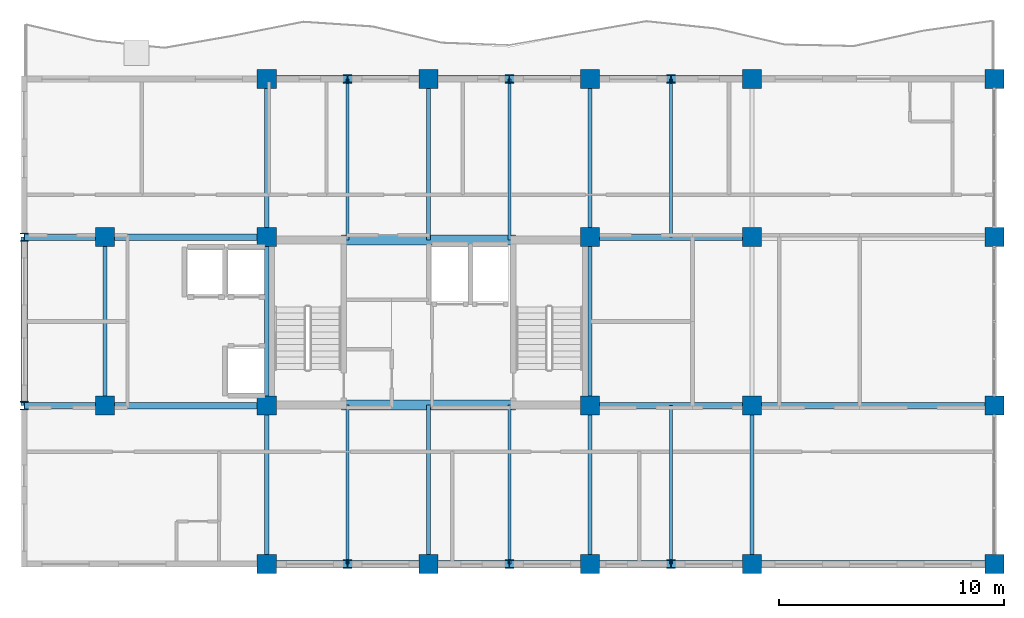
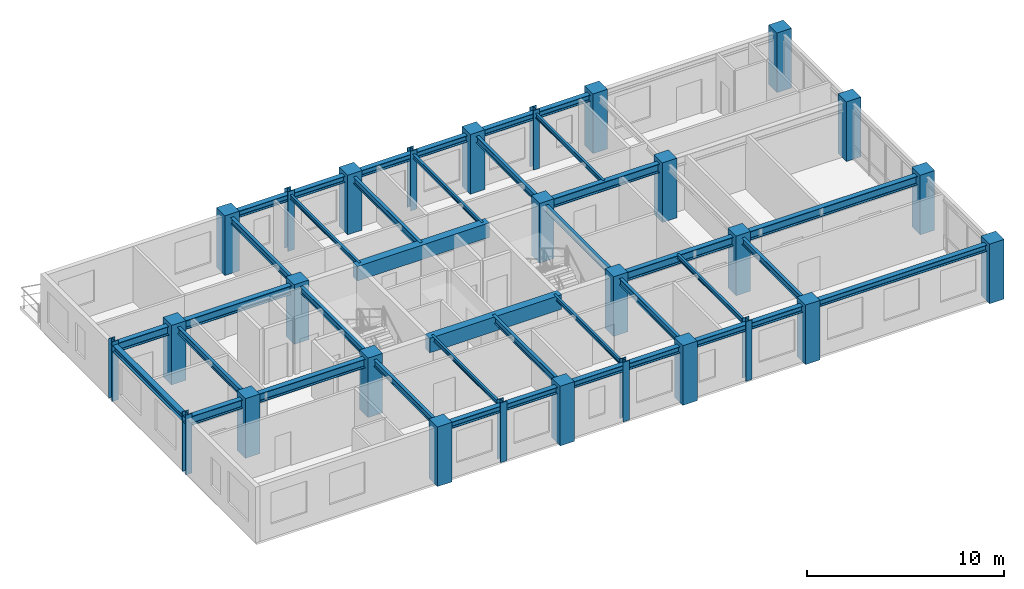
# One storey, part 1 of 11: 39 beams, 28 columns.
"""IFC4 building model written with IfcOpenShell, lengths in metres."""

import ifcopenshell
import ifcopenshell.guid

model = None  # the IFC model being written
_history = None  # IfcOwnerHistory: only IFC2X3 demands one
_inside = {}  # id of a spatial element -> (the spatial element, [elements in it])
_under = {}  # id of a project, library or spatial element -> (it, [spatial elements below it])
_declared = {}  # id of a project -> (the project, [libraries it declares])
_typed = {}  # id of a type object -> (the type object, [elements of that type])
_made_of = {}  # id of a material, layer set ... -> (it, [elements and type objects made of it])


def new_model(schema):
    """Start an empty IFC model of exactly this schema.

    Asked for "IFC4X3", IfcOpenShell would pick the latest addendum, in which some entities
    have other attributes; the version numbers below select the first issue.
    IFC2X3 requires an IfcOwnerHistory on every rooted entity: one is made here for all.
    """
    global model, _history
    if schema == "IFC4X3":
        model = ifcopenshell.file(schema_version=(4, 3, 0, 0))
    else:
        model = ifcopenshell.file(schema=schema)
    _inside.clear()
    _under.clear()
    _declared.clear()
    _typed.clear()
    _made_of.clear()
    _history = None
    if model.schema == "IFC2X3":
        org = make("IfcOrganization", Name="unknown")
        user = make(
            "IfcPersonAndOrganization",
            ThePerson=make("IfcPerson", FamilyName="unknown"),
            TheOrganization=org,
        )
        app = make(
            "IfcApplication",
            ApplicationDeveloper=org,
            Version="unknown",
            ApplicationFullName="unknown",
            ApplicationIdentifier="unknown",
        )
        _history = make(
            "IfcOwnerHistory",
            OwningUser=user,
            OwningApplication=app,
            ChangeAction="ADDED",
            CreationDate=0,
        )
    return model


def make(cls, **values):
    """One entity of the class cls with the attributes given. An attribute that is None is left unset."""
    return model.create_entity(
        cls, **{name: value for name, value in values.items() if value is not None}
    )


def rooted(cls, **values):
    """An entity with a GlobalId (a new one), such as an element, a storey or a relation."""
    return make(cls, GlobalId=ifcopenshell.guid.new(), OwnerHistory=_history, **values)


def si_unit(unit_type, name, prefix=None):
    """IfcSIUnit, for example si_unit("LENGTHUNIT", "METRE", prefix="MILLI")."""
    return make("IfcSIUnit", UnitType=unit_type, Prefix=prefix, Name=name)


def assignment(units):
    """IfcUnitAssignment: the units of a project."""
    return None if units is None else make("IfcUnitAssignment", Units=units)


def point(xyz):
    """IfcCartesianPoint."""
    return None if xyz is None else make("IfcCartesianPoint", Coordinates=xyz)


def direction(xyz):
    """IfcDirection."""
    return None if xyz is None else make("IfcDirection", DirectionRatios=xyz)


def frame(location, z_axis=None, x_axis=None):
    """IfcAxis2Placement3D, a coordinate frame: its origin and axes. An axis left out is left unset."""
    return make(
        "IfcAxis2Placement3D",
        Location=point(location),
        Axis=direction(z_axis),
        RefDirection=direction(x_axis),
    )


def frame_2d(location, x_axis=None):
    """IfcAxis2Placement2D, a coordinate frame in the plane: its origin and x axis."""
    return make(
        "IfcAxis2Placement2D", Location=point(location), RefDirection=direction(x_axis)
    )


def origin():
    """The frame at (0, 0, 0) with its axes left unset."""
    return frame((0.0, 0.0, 0.0))


def origin_2d():
    """The frame at (0, 0) in the plane with its x axis left unset."""
    return frame_2d((0.0, 0.0))


def place(relative_to, where):
    """IfcLocalPlacement: puts the frame where relative to a parent placement (None: the world)."""
    return make(
        "IfcLocalPlacement", PlacementRelTo=relative_to, RelativePlacement=where
    )


def context(
    kind, dimensions, precision=None, world=None, true_north=None, identifier=None
):
    """IfcGeometricRepresentationContext, for example the 3D "Model" context."""
    return make(
        "IfcGeometricRepresentationContext",
        ContextIdentifier=identifier,
        ContextType=kind,
        CoordinateSpaceDimension=dimensions,
        Precision=precision,
        WorldCoordinateSystem=world,
        TrueNorth=true_north,
    )


def subcontext(parent, identifier, kind, view, scale=None):
    """IfcGeometricRepresentationSubContext, for example "Body" below "Model"."""
    return make(
        "IfcGeometricRepresentationSubContext",
        ContextIdentifier=identifier,
        ContextType=kind,
        ParentContext=parent,
        TargetScale=scale,
        TargetView=view,
    )


def project(units=None, contexts=None):
    """IfcProject with its units and contexts."""
    return rooted(
        "IfcProject",
        Name="project",
        RepresentationContexts=contexts,
        UnitsInContext=assignment(units),
    )


def spatial(cls, under=None, at=None, **own):
    """A site, building, storey or space (cls), placed at a placement, below another one or the project."""
    s = rooted(cls, ObjectPlacement=at, **own)
    if under is not None:
        _under.setdefault(under.id(), (under, []))[1].append(s)
    return s


def profile(cls, at=None, kind="AREA", **sizes):
    """A parametric profile (cls). Its sizes go by their IFC names, for example OverallWidth=200.0."""
    return make(cls, ProfileType=kind, Position=at, **sizes)


def rectangle(**sizes):
    """IfcRectangleProfileDef."""
    return profile("IfcRectangleProfileDef", **sizes)


def i_section(**sizes):
    """IfcIShapeProfileDef."""
    return profile("IfcIShapeProfileDef", **sizes)


def extrude(swept, where, along, depth):
    """IfcExtrudedAreaSolid: the profile swept, set in the frame where, extruded along a direction by depth."""
    return make(
        "IfcExtrudedAreaSolid",
        SweptArea=swept,
        Position=where,
        ExtrudedDirection=direction(along),
        Depth=depth,
    )


def shape(context_of_items, identifier, shape_type, items):
    """IfcShapeRepresentation: the items that make up one representation, for example the "Body"."""
    return make(
        "IfcShapeRepresentation",
        ContextOfItems=context_of_items,
        RepresentationIdentifier=identifier,
        RepresentationType=shape_type,
        Items=items,
    )


def source(mapping_origin, context_of_items, identifier, shape_type, items):
    """IfcRepresentationMap: a shape defined once, which mapped items show again and again."""
    return make(
        "IfcRepresentationMap",
        MappingOrigin=mapping_origin,
        MappedRepresentation=shape(context_of_items, identifier, shape_type, items),
    )


def transform(
    local_origin,
    x_axis=None,
    y_axis=None,
    z_axis=None,
    scale=None,
    scale2=None,
    scale3=None,
    uniform=True,
):
    """IfcCartesianTransformationOperator3D, or its non-uniform kind. x_axis, y_axis, z_axis: its Axis1, 2, 3."""
    if uniform:
        return make(
            "IfcCartesianTransformationOperator3D",
            Axis1=direction(x_axis),
            Axis2=direction(y_axis),
            LocalOrigin=point(local_origin),
            Scale=scale,
            Axis3=direction(z_axis),
        )
    return make(
        "IfcCartesianTransformationOperator3DnonUniform",
        Axis1=direction(x_axis),
        Axis2=direction(y_axis),
        LocalOrigin=point(local_origin),
        Scale=scale,
        Axis3=direction(z_axis),
        Scale2=scale2,
        Scale3=scale3,
    )


def mapped(mapping_source, mapping_target):
    """IfcMappedItem: shows the shape of a source again, moved by a transform."""
    return make(
        "IfcMappedItem", MappingSource=mapping_source, MappingTarget=mapping_target
    )


def material(Name=None, Category=None):
    """IfcMaterial."""
    return make("IfcMaterial", Name=Name, Category=Category)


def material_profile(
    of_material, cross_section, Name=None, Category=None, Priority=None
):
    """IfcMaterialProfile: a cross section and its material."""
    return make(
        "IfcMaterialProfile",
        Name=Name,
        Material=of_material,
        Profile=cross_section,
        Priority=Priority,
        Category=Category,
    )


def profile_set(profiles, Name=None, composite=None):
    """IfcMaterialProfileSet."""
    return make(
        "IfcMaterialProfileSet",
        Name=Name,
        MaterialProfiles=profiles,
        CompositeProfile=composite,
    )


def made_of(thing, what):
    """Note that an element or type object is made of a material, layer set ...; save() writes the relation."""
    if what is not None:
        _made_of.setdefault(what.id(), (what, []))[1].append(thing)
    return thing


def type_object(cls, material=None, **own):
    """A type object (cls), such as IfcWallType, which elements share."""
    return made_of(rooted(cls, **own), material)


def element(
    cls,
    number,
    at=None,
    inside=None,
    cuts=None,
    type_object=None,
    material=None,
    context=None,
    identifier="Body",
    shape_type=None,
    held_by="IfcProductDefinitionShape",
    body=None,
    shapes=None,
    **own,
):
    """One element of the class cls, such as IfcWall. Its Tag is "e" and its number.

    at: its placement. inside: the storey or other place that contains it. cuts: it is an
    opening in that element (IfcRelVoidsElement). A single representation is given by context,
    identifier, shape_type and body (its items); several are given by shapes. held_by: the class
    of the entity that holds the representations. save() writes the other relations.
    """
    e = rooted(cls, Tag="e%d" % number, ObjectPlacement=at, **own)
    if body is not None:
        shapes = [shape(context, identifier, shape_type, body)]
    if shapes is not None:
        e.Representation = make(held_by, Representations=shapes)
    if inside is not None:
        _inside.setdefault(inside.id(), (inside, []))[1].append(e)
    if cuts is not None:
        rooted(
            "IfcRelVoidsElement", RelatingBuildingElement=cuts, RelatedOpeningElement=e
        )
    if type_object is not None:
        _typed.setdefault(type_object.id(), (type_object, []))[1].append(e)
    return made_of(e, material)


def aggregate(whole, parts):
    """IfcRelAggregates: a whole, such as a stair, and the parts it consists of."""
    return rooted("IfcRelAggregates", RelatingObject=whole, RelatedObjects=parts)


def save(model, path):
    """Write the relations noted so far, then the file.

    IfcRelAggregates (storeys below a building ...), IfcRelContainedInSpatialStructure (elements
    in a storey), IfcRelDefinesByType, IfcRelAssociatesMaterial and IfcRelDeclares: one each for
    every whole, place, type object, material and project.
    """
    for whole, parts in _under.values():
        aggregate(whole, parts)
    for where, things in _inside.values():
        rooted(
            "IfcRelContainedInSpatialStructure",
            RelatedElements=things,
            RelatingStructure=where,
        )
    for kind, things in _typed.values():
        rooted("IfcRelDefinesByType", RelatedObjects=things, RelatingType=kind)
    for what, things in _made_of.values():
        rooted("IfcRelAssociatesMaterial", RelatedObjects=things, RelatingMaterial=what)
    for by, libraries in _declared.values():
        rooted("IfcRelDeclares", RelatingContext=by, RelatedDefinitions=libraries)
    model.write(path)


model = new_model("IFC4")

# Units and contexts
model_context = context("Model", 3, precision=1e-05, world=origin(), true_north=direction((0.0, 1.0)))
body_context = subcontext(model_context, "Body", "Model", "MODEL_VIEW")
ifc_project = project(units=[si_unit("LENGTHUNIT", "METRE"), si_unit("AREAUNIT", "SQUARE_METRE"), si_unit("VOLUMEUNIT", "CUBIC_METRE"), si_unit("PLANEANGLEUNIT", "RADIAN"), si_unit("MASSUNIT", "GRAM", prefix="KILO")], contexts=[model_context])

# Site, building, storey
site_placement = place(None, origin())
site = spatial("IfcSite", under=ifc_project, at=site_placement, CompositionType="ELEMENT")
building_placement = place(site_placement, origin())
building = spatial("IfcBuilding", under=site, at=building_placement, Name="Kaliganga Portal Commons", CompositionType="ELEMENT")
storey_placement = place(building_placement, frame((0.0, 0.0, 261.0)))
storey = spatial("IfcBuildingStorey", under=building, at=storey_placement, Name="L67", CompositionType="ELEMENT", Elevation=261.0)

# Columns
ifc_material_1 = material(Name="Concrete C50/60", Category="concrete")
ifc_material_profile_1 = material_profile(ifc_material_1, rectangle(XDim=0.85009765625, YDim=0.85009765625, at=origin_2d()), Name="RC 850x850")
ifc_profile_set_1 = profile_set([ifc_material_profile_1], Name="Concrete C50/60")
column_type_1 = type_object("IfcColumnType", Name="COL-MEGA-Z5", PredefinedType="COLUMN", material=ifc_profile_set_1)
shared_shape_1 = source(origin(), body_context, "Body", "SweptSolid", [
    extrude(rectangle(XDim=0.85009765625, YDim=0.85009765625, at=origin_2d()), origin(), (0.0, 0.0, 1.0), 3.699951171875),
])
for number, where, z_axis, x_axis, name in (
    (1, (7.199951171875, 28.64990234375, 0.0), (0.0, 0.0, 1.0), (1.0, 0.0, 0.0), "Column MC-06 L67"),
    (2, (7.199951171875, 36.14990234375, 0.0), (0.0, 0.0, 1.0), (1.0, 0.0, 0.0), "Column MC-06 L67"),
    (3, (14.39990234375, 21.60009765625, 0.0), (0.0, 0.0, 1.0), (1.0, 0.0, 0.0), "Column MC-06 L67"),
    (4, (14.39990234375, 28.64990234375, 0.0), (0.0, 0.0, 1.0), (1.0, 0.0, 0.0), "Column MC-06 L67"),
    (5, (14.39990234375, 36.14990234375, 0.0), (0.0, 0.0, 1.0), (1.0, 0.0, 0.0), "Column MC-06 L67"),
    (6, (14.39990234375, 43.199951171875, 0.0), (0.0, 0.0, 1.0), (1.0, 0.0, 0.0), "Column MC-06 L67"),
    (7, (21.60009765625, 21.60009765625, 0.0), (0.0, 0.0, 1.0), (1.0, 0.0, 0.0), "Column MC-06 L67"),
    (8, (21.60009765625, 43.199951171875, 0.0), (0.0, 0.0, 1.0), (1.0, 0.0, 0.0), "Column MC-06 L67"),
    (9, (28.800048828125, 21.60009765625, 0.0), (0.0, 0.0, 1.0), (1.0, 0.0, 0.0), "Column MC-06 L67"),
    (10, (28.800048828125, 28.64990234375, 0.0), (0.0, 0.0, 1.0), (1.0, 0.0, 0.0), "Column MC-06 L67"),
    (11, (28.800048828125, 36.14990234375, 0.0), (0.0, 0.0, 1.0), (1.0, 0.0, 0.0), "Column MC-06 L67"),
    (12, (28.800048828125, 43.199951171875, 0.0), (0.0, 0.0, 1.0), (1.0, 0.0, 0.0), "Column MC-06 L67"),
    (13, (36.0, 21.60009765625, 0.0), (0.0, 0.0, 1.0), (1.0, 0.0, 0.0), "Column MC-06 L67"),
    (14, (36.0, 43.199951171875, 0.0), (0.0, 0.0, 1.0), (1.0, 0.0, 0.0), "Column MC-06 L67"),
    (15, (36.0, 28.64990234375, 0.0), (0.0, 0.0, 1.0), (1.0, 0.0, 0.0), "Column MC-06 L67"),
    (16, (36.0, 36.14990234375, 0.0), (0.0, 0.0, 1.0), (1.0, 0.0, 0.0), "Column MC-06 L67"),
    (17, (46.800048828125, 21.60009765625, 0.0), (0.0, 0.0, 1.0), (1.0, 0.0, 0.0), "Column MC-06 L67"),
    (18, (46.800048828125, 28.64990234375, 0.0), (0.0, 0.0, 1.0), (1.0, 0.0, 0.0), "Column MC-06 L67"),
    (19, (46.800048828125, 36.14990234375, 0.0), (0.0, 0.0, 1.0), (1.0, 0.0, 0.0), "Column MC-06 L67"),
    (20, (46.800048828125, 43.199951171875, 0.0), (0.0, 0.0, 1.0), (1.0, 0.0, 0.0), "Column MC-06 L67"),
):
    element("IfcColumn", number, at=place(storey_placement, frame(where, z_axis=z_axis, x_axis=x_axis)), inside=storey, type_object=column_type_1, Name=name, PredefinedType="COLUMN", context=body_context, shape_type="MappedRepresentation", body=[
        mapped(shared_shape_1, transform((0.0, 0.0, 0.0), x_axis=(1.0, 0.0, 0.0), y_axis=(0.0, 1.0, 0.0), z_axis=(0.0, 0.0, 1.0), scale=1.0)),
    ])
ifc_material_2 = material(Name="Structural steel S355J2", Category="steel")
ifc_material_profile_2 = material_profile(ifc_material_2, i_section(OverallWidth=0.3740234375, OverallDepth=0.3720703125, WebThickness=0.014892578125, FlangeThickness=0.02587890625, FilletRadius=0.014892578125, at=origin_2d()), Name="HD 360x196")
ifc_profile_set_2 = profile_set([ifc_material_profile_2], Name="Structural steel S355J2 wide-flange")
column_type_2 = type_object("IfcColumnType", Name="COL-TUBE-B5", PredefinedType="COLUMN", material=ifc_profile_set_2)
shared_shape_2 = source(origin(), body_context, "Body", "SweptSolid", [
    extrude(i_section(OverallWidth=0.3740234375, OverallDepth=0.3720703125, WebThickness=0.014892578125, FlangeThickness=0.02587890625, FilletRadius=0.014892578125, at=origin_2d()), origin(), (0.0, 0.0, 1.0), 3.699951171875),
])
for number, where, z_axis, x_axis, name in (
    (21, (3.60009765625, 28.64990234375, 0.0), (0.0, 0.0, 1.0), (1.0, 0.0, 0.0), "Column TC-05 L67"),
    (22, (3.60009765625, 36.14990234375, 0.0), (0.0, 0.0, 1.0), (1.0, 0.0, 0.0), "Column TC-05 L67"),
    (23, (18.0, 21.60009765625, 0.0), (0.0, 0.0, 1.0), (1.0, 0.0, 0.0), "Column TC-05 L67"),
    (24, (18.0, 43.199951171875, 0.0), (0.0, 0.0, 1.0), (1.0, 0.0, 0.0), "Column TC-05 L67"),
    (25, (25.199951171875, 21.60009765625, 0.0), (0.0, 0.0, 1.0), (1.0, 0.0, 0.0), "Column TC-05 L67"),
    (26, (25.199951171875, 43.199951171875, 0.0), (0.0, 0.0, 1.0), (1.0, 0.0, 0.0), "Column TC-05 L67"),
    (27, (32.39990234375, 21.60009765625, 0.0), (0.0, 0.0, 1.0), (1.0, 0.0, 0.0), "Column TC-05 L67"),
    (28, (32.39990234375, 43.199951171875, 0.0), (0.0, 0.0, 1.0), (1.0, 0.0, 0.0), "Column TC-05 L67"),
):
    element("IfcColumn", number, at=place(storey_placement, frame(where, z_axis=z_axis, x_axis=x_axis)), inside=storey, type_object=column_type_2, Name=name, PredefinedType="COLUMN", context=body_context, shape_type="MappedRepresentation", body=[
        mapped(shared_shape_2, transform((0.0, 0.0, 0.0), x_axis=(1.0, 0.0, 0.0), y_axis=(0.0, 1.0, 0.0), z_axis=(0.0, 0.0, 1.0), scale=1.0)),
    ])

# Beams
ifc_material_profile_3 = material_profile(ifc_material_1, rectangle(XDim=0.449951171875, YDim=0.89990234375, at=origin_2d()), Name="RC 450x900")
ifc_profile_set_3 = profile_set([ifc_material_profile_3], Name="Concrete C50/60")
beam_type_1 = type_object("IfcBeamType", Name="BM-CPL-900", PredefinedType="LINTEL", material=ifc_profile_set_3)
shared_shape_3 = source(origin(), body_context, "Body", "SweptSolid", [
    extrude(rectangle(XDim=0.449951171875, YDim=0.89990234375, at=origin_2d()), origin(), (0.0, 0.0, 1.0), 7.739990234375),
])
for number, where, z_axis, x_axis, name in (
    (29, (17.72998046875, 28.675048828125, 3.02490234375), (1.0, 0.0, 0.0), (0.0, 1.0, 0.0), "BM CPL COREA L67 S"),
    (30, (17.72998046875, 36.02490234375, 3.02490234375), (1.0, 0.0, 0.0), (0.0, 1.0, 0.0), "BM CPL COREA L67 N"),
):
    element("IfcBeam", number, at=place(storey_placement, frame(where, z_axis=z_axis, x_axis=x_axis)), inside=storey, type_object=beam_type_1, Name=name, PredefinedType="LINTEL", context=body_context, shape_type="MappedRepresentation", body=[
        mapped(shared_shape_3, transform((0.0, 0.0, 0.0), x_axis=(1.0, 0.0, 0.0), y_axis=(0.0, 1.0, 0.0), z_axis=(0.0, 0.0, 1.0), scale=1.0)),
    ])
ifc_material_profile_4 = material_profile(ifc_material_2, i_section(OverallWidth=0.300048828125, OverallDepth=0.39990234375, WebThickness=0.013427734375, FlangeThickness=0.02392578125, FilletRadius=0.027099609375, at=origin_2d()), Name="HE 400 B")
ifc_profile_set_4 = profile_set([ifc_material_profile_4], Name="Structural steel S355J2 wide-flange")
beam_type_2 = type_object("IfcBeamType", Name="BM-SPAND-400", PredefinedType="SPANDREL", material=ifc_profile_set_4)
shared_shape_4 = source(origin(), body_context, "Body", "SweptSolid", [
    extrude(i_section(OverallWidth=0.300048828125, OverallDepth=0.39990234375, WebThickness=0.013427734375, FlangeThickness=0.02392578125, FilletRadius=0.027099609375, at=origin_2d()), origin(), (0.0, 0.0, 1.0), 3.60009765625),
])
for number, where, z_axis, x_axis, name in (
    (31, (14.39990234375, 43.199951171875, 3.27490234375), (1.0, 0.0, 0.0), (0.0, 1.0, 0.0), "BM SP L67 AN 1"),
    (32, (18.0, 43.199951171875, 3.27490234375), (1.0, 0.0, 0.0), (0.0, 1.0, 0.0), "BM SP L67 AN 2"),
    (33, (25.199951171875, 43.199951171875, 3.27490234375), (1.0, 0.0, 0.0), (0.0, 1.0, 0.0), "BM SP L67 AN 4"),
    (34, (32.39990234375, 43.199951171875, 3.27490234375), (1.0, 0.0, 0.0), (0.0, 1.0, 0.0), "BM SP L67 AN 6"),
    (35, (14.39990234375, 21.60009765625, 3.27490234375), (1.0, 0.0, 0.0), (0.0, 1.0, 0.0), "BM SP L67 AS 1"),
    (36, (18.0, 21.60009765625, 3.27490234375), (1.0, 0.0, 0.0), (0.0, 1.0, 0.0), "BM SP L67 AS 2"),
    (37, (25.199951171875, 21.60009765625, 3.27490234375), (1.0, 0.0, 0.0), (0.0, 1.0, 0.0), "BM SP L67 AS 4"),
    (38, (32.39990234375, 21.60009765625, 3.27490234375), (1.0, 0.0, 0.0), (0.0, 1.0, 0.0), "BM SP L67 AS 6"),
):
    element("IfcBeam", number, at=place(storey_placement, frame(where, z_axis=z_axis, x_axis=x_axis)), inside=storey, type_object=beam_type_2, Name=name, PredefinedType="SPANDREL", context=body_context, shape_type="MappedRepresentation", body=[
        mapped(shared_shape_4, transform((0.0, 0.0, 0.0), x_axis=(1.0, 0.0, 0.0), y_axis=(0.0, 1.0, 0.0), z_axis=(0.0, 0.0, 1.0), scale=1.0)),
    ])
shared_shape_5 = source(origin(), body_context, "Body", "SweptSolid", [
    extrude(i_section(OverallWidth=0.300048828125, OverallDepth=0.39990234375, WebThickness=0.013427734375, FlangeThickness=0.02392578125, FilletRadius=0.027099609375, at=origin_2d()), origin(), (0.0, 0.0, 1.0), 3.599853515625),
])
for number, where, z_axis, x_axis, name in (
    (39, (21.60009765625, 43.199951171875, 3.27490234375), (1.0, 0.0, 0.0), (0.0, 1.0, 0.0), "BM SP L67 AN 3"),
    (40, (28.800048828125, 43.199951171875, 3.27490234375), (1.0, 0.0, 0.0), (0.0, 1.0, 0.0), "BM SP L67 AN 5"),
    (41, (21.60009765625, 21.60009765625, 3.27490234375), (1.0, 0.0, 0.0), (0.0, 1.0, 0.0), "BM SP L67 AS 3"),
    (42, (28.800048828125, 21.60009765625, 3.27490234375), (1.0, 0.0, 0.0), (0.0, 1.0, 0.0), "BM SP L67 AS 5"),
):
    element("IfcBeam", number, at=place(storey_placement, frame(where, z_axis=z_axis, x_axis=x_axis)), inside=storey, type_object=beam_type_2, Name=name, PredefinedType="SPANDREL", context=body_context, shape_type="MappedRepresentation", body=[
        mapped(shared_shape_5, transform((0.0, 0.0, 0.0), x_axis=(1.0, 0.0, 0.0), y_axis=(0.0, 1.0, 0.0), z_axis=(0.0, 0.0, 1.0), scale=1.0)),
    ])
shared_shape_6 = source(origin(), body_context, "Body", "SweptSolid", [
    extrude(i_section(OverallWidth=0.300048828125, OverallDepth=0.39990234375, WebThickness=0.013427734375, FlangeThickness=0.02392578125, FilletRadius=0.027099609375, at=origin_2d()), origin(), (0.0, 0.0, 1.0), 10.800048828125),
])
beam_1_placement = place(storey_placement, frame((36.0, 21.60009765625, 3.27490234375), z_axis=(1.0, 0.0, 0.0), x_axis=(0.0, 1.0, 0.0)))
element("IfcBeam", 43, at=beam_1_placement, inside=storey, type_object=beam_type_2, Name="BM SP L67 AS 7", PredefinedType="SPANDREL", context=body_context, shape_type="MappedRepresentation", body=[
    mapped(shared_shape_6, transform((0.0, 0.0, 0.0), x_axis=(1.0, 0.0, 0.0), y_axis=(0.0, 1.0, 0.0), z_axis=(0.0, 0.0, 1.0), scale=1.0)),
])
ifc_material_profile_5 = material_profile(ifc_material_2, i_section(OverallWidth=0.300048828125, OverallDepth=0.550048828125, WebThickness=0.014892578125, FlangeThickness=0.029052734375, FilletRadius=0.027099609375, at=origin_2d()), Name="HE 550 B")
ifc_profile_set_5 = profile_set([ifc_material_profile_5], Name="Structural steel S355J2 wide-flange")
beam_type_3 = type_object("IfcBeamType", Name="BM-GIRD-550", PredefinedType="USERDEFINED", material=ifc_profile_set_5)
shared_shape_7 = source(origin(), body_context, "Body", "SweptSolid", [
    extrude(i_section(OverallWidth=0.300048828125, OverallDepth=0.550048828125, WebThickness=0.014892578125, FlangeThickness=0.029052734375, FilletRadius=0.027099609375, at=origin_2d()), origin(), (0.0, 0.0, 1.0), 7.199951171875),
])
for number, where, z_axis, x_axis, name in (
    (44, (7.199951171875, 28.64990234375, 3.199951171875), (1.0, 0.0, 0.0), (0.0, 1.0, 0.0), "BM G L67 WAH_S 2"),
    (45, (7.199951171875, 36.14990234375, 3.199951171875), (1.0, 0.0, 0.0), (0.0, 1.0, 0.0), "BM G L67 WAH_N 2"),
    (46, (28.800048828125, 28.64990234375, 3.199951171875), (1.0, 0.0, 0.0), (0.0, 1.0, 0.0), "BM G L67 WAE_S 1"),
    (47, (28.800048828125, 36.14990234375, 3.199951171875), (1.0, 0.0, 0.0), (0.0, 1.0, 0.0), "BM G L67 WAE_N 1"),
):
    element("IfcBeam", number, at=place(storey_placement, frame(where, z_axis=z_axis, x_axis=x_axis)), inside=storey, type_object=beam_type_3, Name=name, ObjectType="GIRDER", PredefinedType="USERDEFINED", context=body_context, shape_type="MappedRepresentation", body=[
        mapped(shared_shape_7, transform((0.0, 0.0, 0.0), x_axis=(1.0, 0.0, 0.0), y_axis=(0.0, 1.0, 0.0), z_axis=(0.0, 0.0, 1.0), scale=1.0)),
    ])
shared_shape_8 = source(origin(), body_context, "Body", "SweptSolid", [
    extrude(i_section(OverallWidth=0.300048828125, OverallDepth=0.550048828125, WebThickness=0.014892578125, FlangeThickness=0.029052734375, FilletRadius=0.027099609375, at=origin_2d()), origin(), (0.0, 0.0, 1.0), 10.800048828125),
])
beam_2_placement = place(storey_placement, frame((36.0, 28.64990234375, 3.199951171875), z_axis=(1.0, 0.0, 0.0), x_axis=(0.0, 1.0, 0.0)))
element("IfcBeam", 48, at=beam_2_placement, inside=storey, type_object=beam_type_3, Name="BM G L67 WAE_S 2", ObjectType="GIRDER", PredefinedType="USERDEFINED", context=body_context, shape_type="MappedRepresentation", body=[
    mapped(shared_shape_8, transform((0.0, 0.0, 0.0), x_axis=(1.0, 0.0, 0.0), y_axis=(0.0, 1.0, 0.0), z_axis=(0.0, 0.0, 1.0), scale=1.0)),
])
shared_shape_9 = source(origin(), body_context, "Body", "SweptSolid", [
    extrude(i_section(OverallWidth=0.300048828125, OverallDepth=0.550048828125, WebThickness=0.014892578125, FlangeThickness=0.029052734375, FilletRadius=0.027099609375, at=origin_2d()), origin(), (0.0, 0.0, 1.0), 3.599853515625),
])
for number, where, z_axis, x_axis, name in (
    (49, (3.60009765625, 28.64990234375, 3.199951171875), (1.0, 0.0, 0.0), (0.0, 1.0, 0.0), "BM G L67 WAH_S 1"),
    (50, (3.60009765625, 36.14990234375, 3.199951171875), (1.0, 0.0, 0.0), (0.0, 1.0, 0.0), "BM G L67 WAH_N 1"),
):
    element("IfcBeam", number, at=place(storey_placement, frame(where, z_axis=z_axis, x_axis=x_axis)), inside=storey, type_object=beam_type_3, Name=name, ObjectType="GIRDER", PredefinedType="USERDEFINED", context=body_context, shape_type="MappedRepresentation", body=[
        mapped(shared_shape_9, transform((0.0, 0.0, 0.0), x_axis=(1.0, 0.0, 0.0), y_axis=(0.0, 1.0, 0.0), z_axis=(0.0, 0.0, 1.0), scale=1.0)),
    ])
shared_shape_10 = source(origin(), body_context, "Body", "SweptSolid", [
    extrude(i_section(OverallWidth=0.300048828125, OverallDepth=0.39990234375, WebThickness=0.013427734375, FlangeThickness=0.02392578125, FilletRadius=0.027099609375, at=origin_2d()), origin(), (0.0, 0.0, 1.0), 7.5),
])
beam_3_placement = place(storey_placement, frame((3.60009765625, 28.64990234375, 3.27490234375), z_axis=(0.0, 1.0, 0.0), x_axis=(-1.0, 0.0, 0.0)))
element("IfcBeam", 51, at=beam_3_placement, inside=storey, type_object=beam_type_2, Name="BM SP L67 AW", PredefinedType="SPANDREL", context=body_context, shape_type="MappedRepresentation", body=[
    mapped(shared_shape_10, transform((0.0, 0.0, 0.0), x_axis=(1.0, 0.0, 0.0), y_axis=(0.0, 1.0, 0.0), z_axis=(0.0, 0.0, 1.0), scale=1.0)),
])
ifc_material_profile_6 = material_profile(ifc_material_2, i_section(OverallWidth=0.135009765625, OverallDepth=0.27001953125, WebThickness=0.006591796875, FlangeThickness=0.01025390625, FilletRadius=0.014892578125, at=origin_2d()), Name="IPE 270")
ifc_profile_set_6 = profile_set([ifc_material_profile_6], Name="Structural steel S355J2 wide-flange")
beam_type_4 = type_object("IfcBeamType", Name="BM-JST-270", PredefinedType="JOIST", material=ifc_profile_set_6)
shared_shape_11 = source(origin(), body_context, "Body", "SweptSolid", [
    extrude(i_section(OverallWidth=0.135009765625, OverallDepth=0.27001953125, WebThickness=0.006591796875, FlangeThickness=0.01025390625, FilletRadius=0.014892578125, at=origin_2d()), origin(), (0.0, 0.0, 1.0), 7.175048828125),
])
for number, where, z_axis, x_axis, name in (
    (52, (18.0, 36.02490234375, 3.340087890625), (0.0, 1.0, 0.0), (-1.0, 0.0, 0.0), "BM G L67 AN180"),
    (53, (25.199951171875, 36.02490234375, 3.340087890625), (0.0, 1.0, 0.0), (-1.0, 0.0, 0.0), "BM G L67 AN252"),
):
    element("IfcBeam", number, at=place(storey_placement, frame(where, z_axis=z_axis, x_axis=x_axis)), inside=storey, type_object=beam_type_4, Name=name, PredefinedType="JOIST", context=body_context, shape_type="MappedRepresentation", body=[
        mapped(shared_shape_11, transform((0.0, 0.0, 0.0), x_axis=(1.0, 0.0, 0.0), y_axis=(0.0, 1.0, 0.0), z_axis=(0.0, 0.0, 1.0), scale=1.0)),
    ])
shared_shape_12 = source(origin(), body_context, "Body", "SweptSolid", [
    extrude(i_section(OverallWidth=0.135009765625, OverallDepth=0.27001953125, WebThickness=0.006591796875, FlangeThickness=0.01025390625, FilletRadius=0.014892578125, at=origin_2d()), origin(), (0.0, 0.0, 1.0), 7.074951171875),
])
for number, where, z_axis, x_axis, name in (
    (54, (18.0, 21.60009765625, 3.340087890625), (0.0, 1.0, 0.0), (-1.0, 0.0, 0.0), "BM G L67 AS180"),
    (55, (25.199951171875, 21.60009765625, 3.340087890625), (0.0, 1.0, 0.0), (-1.0, 0.0, 0.0), "BM G L67 AS252"),
):
    element("IfcBeam", number, at=place(storey_placement, frame(where, z_axis=z_axis, x_axis=x_axis)), inside=storey, type_object=beam_type_4, Name=name, PredefinedType="JOIST", context=body_context, shape_type="MappedRepresentation", body=[
        mapped(shared_shape_12, transform((0.0, 0.0, 0.0), x_axis=(1.0, 0.0, 0.0), y_axis=(0.0, 1.0, 0.0), z_axis=(0.0, 0.0, 1.0), scale=1.0)),
    ])
shared_shape_13 = source(origin(), body_context, "Body", "SweptSolid", [
    extrude(i_section(OverallWidth=0.135009765625, OverallDepth=0.27001953125, WebThickness=0.006591796875, FlangeThickness=0.01025390625, FilletRadius=0.014892578125, at=origin_2d()), origin(), (0.0, 0.0, 1.0), 7.050048828125),
])
beam_4_placement = place(storey_placement, frame((32.39990234375, 36.14990234375, 3.340087890625), z_axis=(0.0, 1.0, 0.0), x_axis=(-1.0, 0.0, 0.0)))
element("IfcBeam", 56, at=beam_4_placement, inside=storey, type_object=beam_type_4, Name="BM G L67 AN324", PredefinedType="JOIST", context=body_context, shape_type="MappedRepresentation", body=[
    mapped(shared_shape_13, transform((0.0, 0.0, 0.0), x_axis=(1.0, 0.0, 0.0), y_axis=(0.0, 1.0, 0.0), z_axis=(0.0, 0.0, 1.0), scale=1.0)),
])
shared_shape_14 = source(origin(), body_context, "Body", "SweptSolid", [
    extrude(i_section(OverallWidth=0.135009765625, OverallDepth=0.27001953125, WebThickness=0.006591796875, FlangeThickness=0.01025390625, FilletRadius=0.014892578125, at=origin_2d()), origin(), (0.0, 0.0, 1.0), 7.0498046875),
])
beam_5_placement = place(storey_placement, frame((32.39990234375, 21.60009765625, 3.340087890625), z_axis=(0.0, 1.0, 0.0), x_axis=(-1.0, 0.0, 0.0)))
element("IfcBeam", 57, at=beam_5_placement, inside=storey, type_object=beam_type_4, Name="BM G L67 AS324", PredefinedType="JOIST", context=body_context, shape_type="MappedRepresentation", body=[
    mapped(shared_shape_14, transform((0.0, 0.0, 0.0), x_axis=(1.0, 0.0, 0.0), y_axis=(0.0, 1.0, 0.0), z_axis=(0.0, 0.0, 1.0), scale=1.0)),
])
ifc_material_profile_7 = material_profile(ifc_material_2, i_section(OverallWidth=0.179931640625, OverallDepth=0.39990234375, WebThickness=0.008544921875, FlangeThickness=0.013427734375, FilletRadius=0.02099609375, at=origin_2d()), Name="IPE 400")
ifc_profile_set_7 = profile_set([ifc_material_profile_7], Name="Structural steel S355J2 wide-flange")
beam_type_5 = type_object("IfcBeamType", Name="BM-FLR-400", PredefinedType="BEAM", material=ifc_profile_set_7)
shared_shape_15 = source(origin(), body_context, "Body", "SweptSolid", [
    extrude(i_section(OverallWidth=0.179931640625, OverallDepth=0.39990234375, WebThickness=0.008544921875, FlangeThickness=0.013427734375, FilletRadius=0.02099609375, at=origin_2d()), origin(), (0.0, 0.0, 1.0), 7.5),
])
for number, where, z_axis, x_axis, name in (
    (58, (7.199951171875, 28.64990234375, 3.27490234375), (0.0, 1.0, 0.0), (-1.0, 0.0, 0.0), "BM G L67 AW72"),
    (59, (14.39990234375, 28.64990234375, 3.27490234375), (0.0, 1.0, 0.0), (-1.0, 0.0, 0.0), "BM G L67 AM144"),
    (60, (28.800048828125, 28.64990234375, 3.27490234375), (0.0, 1.0, 0.0), (-1.0, 0.0, 0.0), "BM G L67 AM288"),
):
    element("IfcBeam", number, at=place(storey_placement, frame(where, z_axis=z_axis, x_axis=x_axis)), inside=storey, type_object=beam_type_5, Name=name, PredefinedType="BEAM", context=body_context, shape_type="MappedRepresentation", body=[
        mapped(shared_shape_15, transform((0.0, 0.0, 0.0), x_axis=(1.0, 0.0, 0.0), y_axis=(0.0, 1.0, 0.0), z_axis=(0.0, 0.0, 1.0), scale=1.0)),
    ])
shared_shape_16 = source(origin(), body_context, "Body", "SweptSolid", [
    extrude(i_section(OverallWidth=0.179931640625, OverallDepth=0.39990234375, WebThickness=0.008544921875, FlangeThickness=0.013427734375, FilletRadius=0.02099609375, at=origin_2d()), origin(), (0.0, 0.0, 1.0), 7.050048828125),
])
for number, where, z_axis, x_axis, name in (
    (61, (14.39990234375, 36.14990234375, 3.27490234375), (0.0, 1.0, 0.0), (-1.0, 0.0, 0.0), "BM G L67 AN144"),
    (62, (28.800048828125, 36.14990234375, 3.27490234375), (0.0, 1.0, 0.0), (-1.0, 0.0, 0.0), "BM G L67 AN288"),
):
    element("IfcBeam", number, at=place(storey_placement, frame(where, z_axis=z_axis, x_axis=x_axis)), inside=storey, type_object=beam_type_5, Name=name, PredefinedType="BEAM", context=body_context, shape_type="MappedRepresentation", body=[
        mapped(shared_shape_16, transform((0.0, 0.0, 0.0), x_axis=(1.0, 0.0, 0.0), y_axis=(0.0, 1.0, 0.0), z_axis=(0.0, 0.0, 1.0), scale=1.0)),
    ])
shared_shape_17 = source(origin(), body_context, "Body", "SweptSolid", [
    extrude(i_section(OverallWidth=0.179931640625, OverallDepth=0.39990234375, WebThickness=0.008544921875, FlangeThickness=0.013427734375, FilletRadius=0.02099609375, at=origin_2d()), origin(), (0.0, 0.0, 1.0), 7.0498046875),
])
for number, where, z_axis, x_axis, name in (
    (63, (14.39990234375, 21.60009765625, 3.27490234375), (0.0, 1.0, 0.0), (-1.0, 0.0, 0.0), "BM G L67 AS144"),
    (64, (28.800048828125, 21.60009765625, 3.27490234375), (0.0, 1.0, 0.0), (-1.0, 0.0, 0.0), "BM G L67 AS288"),
    (65, (36.0, 21.60009765625, 3.27490234375), (0.0, 1.0, 0.0), (-1.0, 0.0, 0.0), "BM G L67 AS360"),
):
    element("IfcBeam", number, at=place(storey_placement, frame(where, z_axis=z_axis, x_axis=x_axis)), inside=storey, type_object=beam_type_5, Name=name, PredefinedType="BEAM", context=body_context, shape_type="MappedRepresentation", body=[
        mapped(shared_shape_17, transform((0.0, 0.0, 0.0), x_axis=(1.0, 0.0, 0.0), y_axis=(0.0, 1.0, 0.0), z_axis=(0.0, 0.0, 1.0), scale=1.0)),
    ])
shared_shape_18 = source(origin(), body_context, "Body", "SweptSolid", [
    extrude(i_section(OverallWidth=0.179931640625, OverallDepth=0.39990234375, WebThickness=0.008544921875, FlangeThickness=0.013427734375, FilletRadius=0.02099609375, at=origin_2d()), origin(), (0.0, 0.0, 1.0), 7.175048828125),
])
beam_6_placement = place(storey_placement, frame((21.60009765625, 36.02490234375, 3.27490234375), z_axis=(0.0, 1.0, 0.0), x_axis=(-1.0, 0.0, 0.0)))
element("IfcBeam", 66, at=beam_6_placement, inside=storey, type_object=beam_type_5, Name="BM G L67 AN216", PredefinedType="BEAM", context=body_context, shape_type="MappedRepresentation", body=[
    mapped(shared_shape_18, transform((0.0, 0.0, 0.0), x_axis=(1.0, 0.0, 0.0), y_axis=(0.0, 1.0, 0.0), z_axis=(0.0, 0.0, 1.0), scale=1.0)),
])
shared_shape_19 = source(origin(), body_context, "Body", "SweptSolid", [
    extrude(i_section(OverallWidth=0.179931640625, OverallDepth=0.39990234375, WebThickness=0.008544921875, FlangeThickness=0.013427734375, FilletRadius=0.02099609375, at=origin_2d()), origin(), (0.0, 0.0, 1.0), 7.074951171875),
])
beam_7_placement = place(storey_placement, frame((21.60009765625, 21.60009765625, 3.27490234375), z_axis=(0.0, 1.0, 0.0), x_axis=(-1.0, 0.0, 0.0)))
element("IfcBeam", 67, at=beam_7_placement, inside=storey, type_object=beam_type_5, Name="BM G L67 AS216", PredefinedType="BEAM", context=body_context, shape_type="MappedRepresentation", body=[
    mapped(shared_shape_19, transform((0.0, 0.0, 0.0), x_axis=(1.0, 0.0, 0.0), y_axis=(0.0, 1.0, 0.0), z_axis=(0.0, 0.0, 1.0), scale=1.0)),
])

save(model, "model.ifc")
